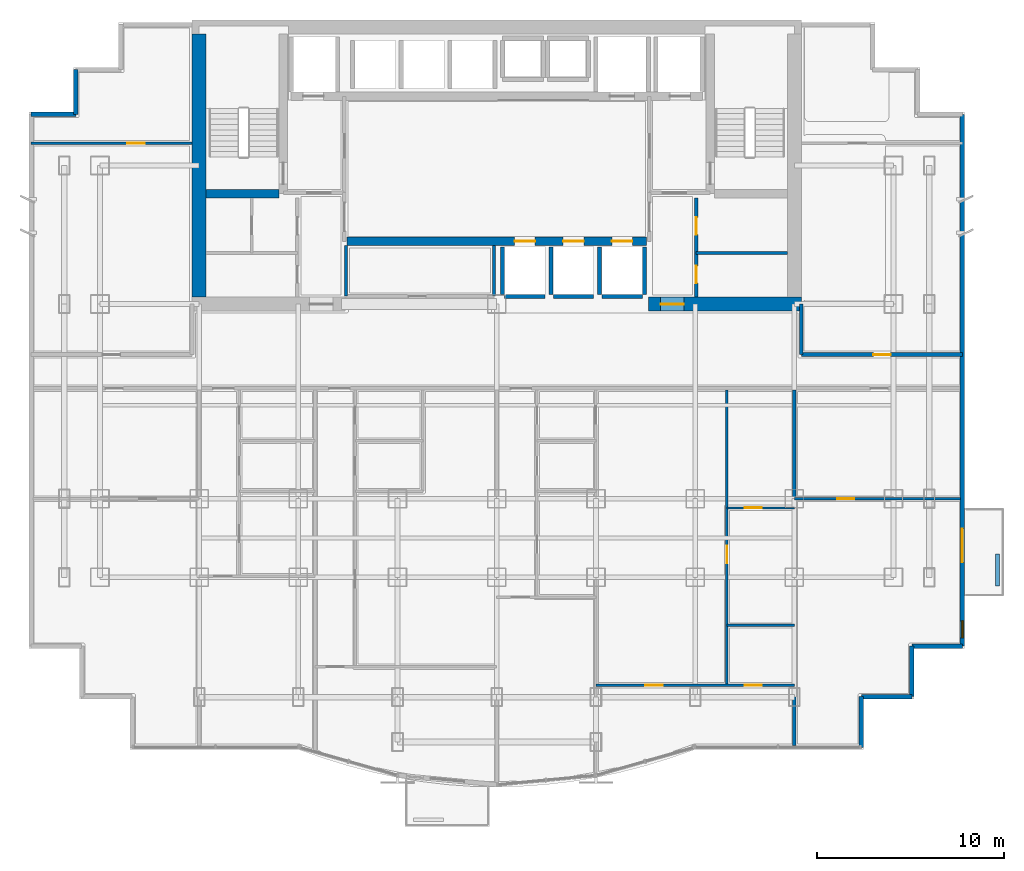
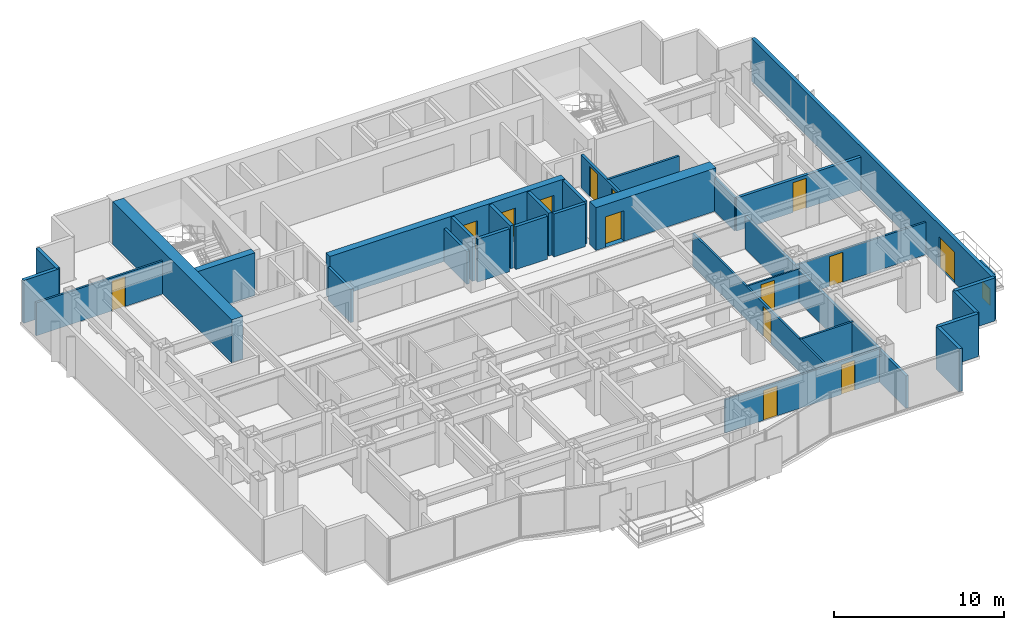
# One storey, part 6 of 10: 32 walls, 14 doors, 1 window, 15 openings.
"""IFC4 building model written with IfcOpenShell, lengths in metres."""

from ifc_helpers import new_model, si_unit, direction, frame, frame_2d, origin, place, context, subcontext, project, spatial, rectangle, extrude, material, layer, layer_set, type_object, element, fill, save


model = new_model("IFC4")

# Units and contexts
model_context = context("Model", 3, precision=1e-05, world=origin(), true_north=direction((0.0, 1.0)))
body_context = subcontext(model_context, "Body", "Model", "MODEL_VIEW")
ifc_project = project(units=[si_unit("LENGTHUNIT", "METRE"), si_unit("AREAUNIT", "SQUARE_METRE"), si_unit("VOLUMEUNIT", "CUBIC_METRE"), si_unit("PLANEANGLEUNIT", "RADIAN"), si_unit("MASSUNIT", "GRAM", prefix="KILO")], contexts=[model_context])

# Site, building, storey
site_placement = place(None, origin())
site = spatial("IfcSite", under=ifc_project, at=site_placement, CompositionType="ELEMENT")
building_placement = place(site_placement, origin())
building = spatial("IfcBuilding", under=site, at=building_placement, Name="Qianlan Lanfeng Residences", CompositionType="ELEMENT")
storey_placement = place(building_placement, frame((0.0, 0.0, 88.300048828125)))
storey = spatial("IfcBuildingStorey", under=building, at=storey_placement, Name="L23", CompositionType="ELEMENT", Elevation=88.300048828125)

# Wall
ifc_material_1 = material(Name="Concrete C60", Category="concrete")
ifc_layer_1 = layer(ifc_material_1, 0.449951171875)
ifc_layer_set_1 = layer_set([ifc_layer_1], Name="Concrete C60")
wall_type_1 = type_object("IfcWallType", Name="CW-RC-450", PredefinedType="SHEAR", material=ifc_layer_set_1)
wall_1_placement = place(storey_placement, frame((10.97509765625, 31.10009765625, 0.0), z_axis=(0.0, 0.0, 1.0), x_axis=(1.0, 0.0, 0.0)))
element("IfcWall", 1, at=wall_1_placement, inside=storey, type_object=wall_type_1, Name="L23 Core Shear Wall ST1S", PredefinedType="SHEAR", context=body_context, shape_type="SweptSolid", body=[
    extrude(rectangle(XDim=3.89990234375, YDim=0.449951171875, at=frame_2d((1.949951171875, 0.0))), origin(), (0.0, 0.0, 1.0), 3.08984375),
])

# Wall, openings, doors
wall_2_placement = place(storey_placement, frame((18.5, 28.550048828125, 0.0), z_axis=(0.0, 0.0, 1.0), x_axis=(1.0, 0.0, 0.0)))
wall_2 = element("IfcWall", 2, at=wall_2_placement, inside=storey, type_object=wall_type_1, Name="L23 Core Shear Wall LBS", PredefinedType="SHEAR", context=body_context, shape_type="SweptSolid", body=[
    extrude(rectangle(XDim=16.0, YDim=0.449951171875, at=frame_2d((8.0, 0.0))), origin(), (0.0, 0.0, 1.0), 3.08984375),
])
opening_1_placement = place(wall_2_placement, frame((8.949951171875, 0.0, 0.0)))
opening_1 = element("IfcOpeningElement", 3, at=opening_1_placement, cuts=wall_2, Name="Opening L23-LD-PL-M1", PredefinedType="OPENING", context=body_context, shape_type="SweptSolid", body=[
    extrude(rectangle(XDim=1.10009765625, YDim=2.14990234375, at=frame_2d((0.550048828125, 1.074951171875))), frame((0.0, 0.23486328125, 0.0), z_axis=(0.0, -1.0, 0.0), x_axis=(1.0, 0.0, 0.0)), (0.0, 0.0, 1.0), 0.469970703125),
])
opening_2_placement = place(wall_2_placement, frame((11.550048828125, 0.0, 0.0)))
opening_2 = element("IfcOpeningElement", 4, at=opening_2_placement, cuts=wall_2, Name="Opening L23-LD-PL-M2", PredefinedType="OPENING", context=body_context, shape_type="SweptSolid", body=[
    extrude(rectangle(XDim=1.10009765625, YDim=2.14990234375, at=frame_2d((0.550048828125, 1.074951171875))), frame((0.0, 0.23486328125, 0.0), z_axis=(0.0, -1.0, 0.0), x_axis=(1.0, 0.0, 0.0)), (0.0, 0.0, 1.0), 0.469970703125),
])
opening_3_placement = place(wall_2_placement, frame((14.14990234375, 0.0, 0.0)))
opening_3 = element("IfcOpeningElement", 5, at=opening_3_placement, cuts=wall_2, Name="Opening L23-LD-PL-M3", PredefinedType="OPENING", context=body_context, shape_type="SweptSolid", body=[
    extrude(rectangle(XDim=1.10009765625, YDim=2.14990234375, at=frame_2d((0.550048828125, 1.074951171875))), frame((0.0, 0.23486328125, 0.0), z_axis=(0.0, -1.0, 0.0), x_axis=(1.0, 0.0, 0.0)), (0.0, 0.0, 1.0), 0.469970703125),
])
ifc_material_2 = material(Name="Brushed Stainless Steel Sliding Lift Door", Category="steel")
door_type_1 = type_object("IfcDoorType", Name="LD-01", OperationType="NOTDEFINED", PredefinedType="DOOR", material=ifc_material_2)
door_1_placement = place(opening_1_placement, origin())
door_1 = element("IfcDoor", 6, at=door_1_placement, inside=storey, type_object=door_type_1, Name="L23 Elevator PL-M1 Sliding Landing Door", OperationType="DOUBLE_DOOR_SLIDING", OverallHeight=2.14990234375, OverallWidth=1.10009765625, PredefinedType="DOOR", context=body_context, shape_type="SweptSolid", body=[
    extrude(rectangle(XDim=1.10009765625, YDim=2.14990234375, at=frame_2d((0.550048828125, 1.074951171875))), frame((0.0, 0.02490234375, 0.0), z_axis=(0.0, -1.0, 0.0), x_axis=(1.0, 0.0, 0.0)), (0.0, 0.0, 1.0), 0.050048828125),
])
fill(opening_1, door_1)
door_2_placement = place(opening_2_placement, origin())
door_2 = element("IfcDoor", 7, at=door_2_placement, inside=storey, type_object=door_type_1, Name="L23 Elevator PL-M2 Sliding Landing Door", OperationType="DOUBLE_DOOR_SLIDING", OverallHeight=2.14990234375, OverallWidth=1.10009765625, PredefinedType="DOOR", context=body_context, shape_type="SweptSolid", body=[
    extrude(rectangle(XDim=1.10009765625, YDim=2.14990234375, at=frame_2d((0.550048828125, 1.074951171875))), frame((0.0, 0.02490234375, 0.0), z_axis=(0.0, -1.0, 0.0), x_axis=(1.0, 0.0, 0.0)), (0.0, 0.0, 1.0), 0.050048828125),
])
fill(opening_2, door_2)
door_3_placement = place(opening_3_placement, origin())
door_3 = element("IfcDoor", 8, at=door_3_placement, inside=storey, type_object=door_type_1, Name="L23 Elevator PL-M3 Sliding Landing Door", OperationType="DOUBLE_DOOR_SLIDING", OverallHeight=2.14990234375, OverallWidth=1.10009765625, PredefinedType="DOOR", context=body_context, shape_type="SweptSolid", body=[
    extrude(rectangle(XDim=1.10009765625, YDim=2.14990234375, at=frame_2d((0.550048828125, 1.074951171875))), frame((0.0, 0.02490234375, 0.0), z_axis=(0.0, -1.0, 0.0), x_axis=(1.0, 0.0, 0.0)), (0.0, 0.0, 1.0), 0.050048828125),
])
fill(opening_3, door_3)

# Wall
ifc_layer_2 = layer(ifc_material_1, 0.75)
ifc_layer_set_2 = layer_set([ifc_layer_2], Name="Concrete C60")
wall_type_2 = type_object("IfcWallType", Name="CW-RC-750", PredefinedType="SHEAR", material=ifc_layer_set_2)
wall_3_placement = place(storey_placement, frame((10.60009765625, 25.574951171875, 0.0), z_axis=(0.0, 0.0, 1.0), x_axis=(0.0, 1.0, 0.0)))
element("IfcWall", 9, at=wall_3_placement, inside=storey, type_object=wall_type_2, Name="L23 Core Shear Wall W", PredefinedType="SHEAR", context=body_context, shape_type="SweptSolid", body=[
    extrude(rectangle(XDim=14.050048828125, YDim=0.75, at=frame_2d((7.02490234375, 0.0))), origin(), (0.0, 0.0, 1.0), 3.08984375),
])

# Wall, opening, door
wall_4_placement = place(storey_placement, frame((34.60009765625, 25.199951171875, 0.0), z_axis=(0.0, 0.0, 1.0), x_axis=(1.0, 0.0, 0.0)))
wall_4 = element("IfcWall", 10, at=wall_4_placement, inside=storey, type_object=wall_type_2, Name="L23 Core Shear Wall SE", PredefinedType="SHEAR", context=body_context, shape_type="SweptSolid", body=[
    extrude(rectangle(XDim=8.1748046875, YDim=0.75, at=frame_2d((4.08740234375, 0.0))), origin(), (0.0, 0.0, 1.0), 3.08984375),
])
opening_4_placement = place(wall_4_placement, frame((0.64990234375, 0.0, 0.0)))
opening_4 = element("IfcOpeningElement", 11, at=opening_4_placement, cuts=wall_4, Name="Opening L23-D02", PredefinedType="OPENING", context=body_context, shape_type="SweptSolid", body=[
    extrude(rectangle(XDim=1.25, YDim=2.199951171875, at=frame_2d((0.625, 1.10009765625))), frame((0.0, 0.385009765625, 0.0), z_axis=(0.0, -1.0, 0.0), x_axis=(1.0, 0.0, 0.0)), (0.0, 0.0, 1.0), 0.77001953125),
])
ifc_material_3 = material(Name="Painted Galvanised Steel Fire Door", Category="steel")
door_type_2 = type_object("IfcDoorType", Name="DT-FFL", OperationType="NOTDEFINED", PredefinedType="DOOR", material=ifc_material_3)
door_4_placement = place(opening_4_placement, frame((1.25, 0.0, 0.0), z_axis=(0.0, 0.0, 1.0), x_axis=(-1.0, 0.0, 0.0)))
door_4 = element("IfcDoor", 12, at=door_4_placement, inside=storey, type_object=door_type_2, Name="L23 East Core Lobby Smoke Door L23-D02 (DT-FFL)", OperationType="SINGLE_SWING_LEFT", OverallHeight=2.199951171875, OverallWidth=1.25, PredefinedType="DOOR", context=body_context, shape_type="SweptSolid", body=[
    extrude(rectangle(XDim=1.25, YDim=2.199951171875, at=frame_2d((0.625, 1.10009765625))), frame((0.0, 0.02490234375, 0.0), z_axis=(0.0, -1.0, 0.0), x_axis=(1.0, 0.0, 0.0)), (0.0, 0.0, 1.0), 0.050048828125),
])
fill(opening_4, door_4)

# Walls
ifc_material_4 = material(Name="Concrete C42", Category="concrete")
ifc_layer_3 = layer(ifc_material_4, 0.239990234375)
ifc_layer_set_3 = layer_set([ifc_layer_3], Name="Concrete C42")
wall_type_3 = type_object("IfcWallType", Name="EW-240", PredefinedType="SOLIDWALL", material=ifc_layer_set_3)
for number, where, z_axis, x_axis, name in (
    (13, (45.97998046875, 1.52001953125, 0.0), (0.0, 0.0, 1.0), (0.0, 1.0, 0.0), "L23 Exterior Facade Spandrel Wall 6"),
    (14, (45.97998046875, 4.219970703125, 0.0), (0.0, 0.0, 1.0), (1.0, 0.0, 0.0), "L23 Exterior Facade Spandrel Wall 7"),
    (15, (48.679931640625, 4.219970703125, 0.0), (0.0, 0.0, 1.0), (0.0, 1.0, 0.0), "L23 Exterior Facade Spandrel Wall 8"),
    (16, (48.679931640625, 6.919921875, 0.0), (0.0, 0.0, 1.0), (1.0, 0.0, 0.0), "L23 Exterior Facade Spandrel Wall 9"),
):
    element("IfcWall", number, at=place(storey_placement, frame(where, z_axis=z_axis, x_axis=x_axis)), inside=storey, type_object=wall_type_3, Name=name, PredefinedType="SOLIDWALL", context=body_context, shape_type="SweptSolid", body=[
        extrude(rectangle(XDim=2.699951171875, YDim=0.239990234375, at=frame_2d((1.35009765625, 0.0))), origin(), (0.0, 0.0, 1.0), 3.08984375),
    ])

# Wall, openings, door, window
wall_5_placement = place(storey_placement, frame((51.3798828125, 6.919921875, 0.0), z_axis=(0.0, 0.0, 1.0), x_axis=(0.0, 1.0, 0.0)))
wall_5 = element("IfcWall", 17, at=wall_5_placement, inside=storey, type_object=wall_type_3, Name="L23 Terrace/Balcony Access Exterior Wall 10", PredefinedType="SOLIDWALL", context=body_context, shape_type="SweptSolid", body=[
    extrude(rectangle(XDim=28.41015625, YDim=0.239990234375, at=frame_2d((14.205078125, 0.0))), origin(), (0.0, 0.0, 1.0), 3.08984375),
])
opening_5_placement = place(wall_5_placement, frame((4.47998046875, 0.0, 0.0)))
opening_5 = element("IfcOpeningElement", 18, at=opening_5_placement, cuts=wall_5, Name="Opening L23-D-EB-S", PredefinedType="OPENING", context=body_context, shape_type="SweptSolid", body=[
    extrude(rectangle(XDim=1.800048828125, YDim=2.199951171875, at=frame_2d((0.89990234375, 1.10009765625))), frame((0.0, 0.1298828125, 0.0), z_axis=(0.0, -1.0, 0.0), x_axis=(1.0, 0.0, 0.0)), (0.0, 0.0, 1.0), 0.260009765625),
])
opening_6_placement = place(wall_5_placement, frame((0.449951171875, 0.0, 0.75)))
opening_6 = element("IfcOpeningElement", 19, at=opening_6_placement, cuts=wall_5, Name="Opening W-04", PredefinedType="OPENING", context=body_context, shape_type="SweptSolid", body=[
    extrude(rectangle(XDim=0.89990234375, YDim=1.199951171875, at=frame_2d((0.449951171875, 0.60009765625))), frame((0.0, 0.1298828125, 0.0), z_axis=(0.0, -1.0, 0.0), x_axis=(1.0, 0.0, 0.0)), (0.0, 0.0, 1.0), 0.260009765625),
])
ifc_material_5 = material(Name="Anodised Bronze Aluminium Framed Glass", Category="aluminium")
door_type_3 = type_object("IfcDoorType", Name="DT-BAL1", OperationType="NOTDEFINED", PredefinedType="DOOR", material=ifc_material_5)
door_5_placement = place(opening_5_placement, frame((1.800048828125, 0.0, 0.0), z_axis=(0.0, 0.0, 1.0), x_axis=(-1.0, 0.0, 0.0)))
door_5 = element("IfcDoor", 20, at=door_5_placement, inside=storey, type_object=door_type_3, Name="L23 Exterior Access Door EB-S", OperationType="DOUBLE_DOOR_SLIDING", OverallHeight=2.199951171875, OverallWidth=1.800048828125, PredefinedType="DOOR", context=body_context, shape_type="SweptSolid", body=[
    extrude(rectangle(XDim=1.800048828125, YDim=2.199951171875, at=frame_2d((0.89990234375, 1.10009765625))), frame((0.0, 0.02490234375, 0.0), z_axis=(0.0, -1.0, 0.0), x_axis=(1.0, 0.0, 0.0)), (0.0, 0.0, 1.0), 0.050048828125),
])
fill(opening_5, door_5)
ifc_material_6 = material(Name="Anodised Bronze Aluminium Framed Double Glazing", Category="aluminium")
window_type = type_object("IfcWindowType", Name="W-04", PartitioningType="SINGLE_PANEL", PredefinedType="WINDOW", material=ifc_material_6)
window_placement = place(opening_6_placement, origin())
window = element("IfcWindow", 21, at=window_placement, inside=storey, type_object=window_type, Name="L23 Exterior Window W-04", OverallHeight=1.199951171875, OverallWidth=0.89990234375, PartitioningType="SINGLE_PANEL", PredefinedType="WINDOW", context=body_context, shape_type="SweptSolid", body=[
    extrude(rectangle(XDim=0.89990234375, YDim=1.199951171875, at=frame_2d((0.449951171875, 0.60009765625))), frame((0.0, 0.030029296875, 0.0), z_axis=(0.0, -1.0, 0.0), x_axis=(1.0, 0.0, 0.0)), (0.0, 0.0, 1.0), 0.06005859375),
])
fill(opening_6, window)

# Walls
for number, where, z_axis, x_axis, name in (
    (22, (4.02001953125, 37.72998046875, 0.0), (0.0, 0.0, 1.0), (0.0, -1.0, 0.0), "L23 Exterior Facade Spandrel Wall 19"),
    (23, (4.02001953125, 35.330078125, 0.0), (0.0, 0.0, 1.0), (-1.0, 0.0, 0.0), "L23 Exterior Facade Spandrel Wall 20"),
):
    element("IfcWall", number, at=place(storey_placement, frame(where, z_axis=z_axis, x_axis=x_axis)), inside=storey, type_object=wall_type_3, Name=name, PredefinedType="SOLIDWALL", context=body_context, shape_type="SweptSolid", body=[
        extrude(rectangle(XDim=2.39990234375, YDim=0.239990234375, at=frame_2d((1.199951171875, 0.0))), origin(), (0.0, 0.0, 1.0), 3.08984375),
    ])
ifc_layer_4 = layer(ifc_material_4, 0.199951171875)
ifc_layer_set_4 = layer_set([ifc_layer_4], Name="Concrete C42")
wall_type_4 = type_object("IfcWallType", Name="PL-TREE-200", PredefinedType="PARAPET", material=ifc_layer_set_4)
wall_6_placement = place(storey_placement, frame((53.25, 10.14990234375, 0.0), z_axis=(0.0, 0.0, 1.0), x_axis=(0.0, 1.0, 0.0)))
element("IfcWall", 24, at=wall_6_placement, inside=storey, type_object=wall_type_4, Name="L23 East Tree Planter Curb EB-S", PredefinedType="PARAPET", context=body_context, shape_type="SweptSolid", body=[
    extrude(rectangle(XDim=1.7001953125, YDim=0.199951171875, at=frame_2d((0.85009765625, 0.0))), origin(), (0.0, 0.0, 1.0), 0.64990234375),
])

# Wall, opening, door
ifc_material_7 = material(Name="Demountable Acoustic Framing Partition 110 mm")
ifc_layer_5 = layer(ifc_material_7, 0.110107421875)
ifc_layer_set_5 = layer_set([ifc_layer_5], Name="Demountable Acoustic Framing Partition 110 mm")
wall_type_5 = type_object("IfcWallType", Name="PW-110", PredefinedType="MOVABLE", material=ifc_layer_set_5)
wall_7_placement = place(storey_placement, frame((38.800048828125, 14.31396484375, 0.0), z_axis=(0.0, 0.0, 1.0), x_axis=(1.0, 0.0, 0.0)))
wall_7 = element("IfcWall", 25, at=wall_7_placement, inside=storey, type_object=wall_type_5, Name="L23 U03 Wardrobe Split", PredefinedType="MOVABLE", context=body_context, shape_type="SweptSolid", body=[
    extrude(rectangle(XDim=3.599853515625, YDim=0.110107421875, at=frame_2d((1.7998046875, 0.0))), origin(), (0.0, 0.0, 1.0), 2.3798828125),
])
opening_7_placement = place(wall_7_placement, frame((0.93994140625, 0.0, 0.0)))
opening_7 = element("IfcOpeningElement", 26, at=opening_7_placement, cuts=wall_7, Name="Opening L23-D36", PredefinedType="OPENING", context=body_context, shape_type="SweptSolid", body=[
    extrude(rectangle(XDim=0.919921875, YDim=2.14990234375, at=frame_2d((0.4599609375, 1.074951171875))), frame((0.0, 0.06494140625, 0.0), z_axis=(0.0, -1.0, 0.0), x_axis=(1.0, 0.0, 0.0)), (0.0, 0.0, 1.0), 0.130126953125),
])
ifc_material_8 = material(Name="Glazed Timber Kitchen/Study Door", Category="wood")
door_type_4 = type_object("IfcDoorType", Name="DT-INT", OperationType="NOTDEFINED", PredefinedType="DOOR", material=ifc_material_8)
door_6_placement = place(opening_7_placement, origin())
door_6 = element("IfcDoor", 27, at=door_6_placement, inside=storey, type_object=door_type_4, Name="L23 U03 Dressing Inner Door L23-D36 (DT-INT)", OperationType="SINGLE_SWING_LEFT", OverallHeight=2.14990234375, OverallWidth=0.919921875, PredefinedType="DOOR", context=body_context, shape_type="SweptSolid", body=[
    extrude(rectangle(XDim=0.919921875, YDim=2.14990234375, at=frame_2d((0.4599609375, 1.074951171875))), frame((0.0, 0.02490234375, 0.0), z_axis=(0.0, -1.0, 0.0), x_axis=(1.0, 0.0, 0.0)), (0.0, 0.0, 1.0), 0.050048828125),
])
fill(opening_7, door_6)

# Wall, openings, doors
ifc_material_9 = material(Name="Moisture-Resistant Gypsum Partition 135 mm")
ifc_layer_6 = layer(ifc_material_9, 0.135009765625)
ifc_layer_set_6 = layer_set([ifc_layer_6], Name="Moisture-Resistant Gypsum Partition 135 mm")
wall_type_6 = type_object("IfcWallType", Name="PW-135", PredefinedType="PARTITIONING", material=ifc_layer_set_6)
wall_8_placement = place(storey_placement, frame((31.800048828125, 4.827880859375, 0.0), z_axis=(0.0, 0.0, 1.0), x_axis=(1.0, 0.0, 0.0)))
wall_8 = element("IfcWall", 28, at=wall_8_placement, inside=storey, type_object=wall_type_6, Name="L23 U03 Master Bedroom North Wall", PredefinedType="PARTITIONING", context=body_context, shape_type="SweptSolid", body=[
    extrude(rectangle(XDim=10.599853515625, YDim=0.135009765625, at=frame_2d((5.2998046875, 0.0))), origin(), (0.0, 0.0, 1.0), 2.3798828125),
])
opening_8_placement = place(wall_8_placement, frame((2.625, 0.0, 0.0)))
opening_8 = element("IfcOpeningElement", 29, at=opening_8_placement, cuts=wall_8, Name="Opening L23-D33", PredefinedType="OPENING", context=body_context, shape_type="SweptSolid", body=[
    extrude(rectangle(XDim=0.949951171875, YDim=2.14990234375, at=frame_2d((0.47509765625, 1.074951171875))), frame((0.0, 0.07763671875, 0.0), z_axis=(0.0, -1.0, 0.0), x_axis=(1.0, 0.0, 0.0)), (0.0, 0.0, 1.0), 0.155029296875),
])
opening_9_placement = place(wall_8_placement, frame((7.949951171875, 0.0, 0.0)))
opening_9 = element("IfcOpeningElement", 30, at=opening_9_placement, cuts=wall_8, Name="Opening L23-D34", PredefinedType="OPENING", context=body_context, shape_type="SweptSolid", body=[
    extrude(rectangle(XDim=0.89990234375, YDim=2.14990234375, at=frame_2d((0.449951171875, 1.074951171875))), frame((0.0, 0.07763671875, 0.0), z_axis=(0.0, -1.0, 0.0), x_axis=(1.0, 0.0, 0.0)), (0.0, 0.0, 1.0), 0.155029296875),
])
ifc_material_10 = material(Name="Painted Solid-Core Timber Leaf", Category="wood")
door_type_5 = type_object("IfcDoorType", Name="DT-BED", OperationType="NOTDEFINED", PredefinedType="DOOR", material=ifc_material_10)
door_7_placement = place(opening_8_placement, origin())
door_7 = element("IfcDoor", 31, at=door_7_placement, inside=storey, type_object=door_type_5, Name="L23 U03 Master Bedroom Door L23-D33 (DT-BED)", OperationType="SINGLE_SWING_RIGHT", OverallHeight=2.14990234375, OverallWidth=0.949951171875, PredefinedType="DOOR", context=body_context, shape_type="SweptSolid", body=[
    extrude(rectangle(XDim=0.949951171875, YDim=2.14990234375, at=frame_2d((0.47509765625, 1.074951171875))), frame((0.0, 0.02490234375, 0.0), z_axis=(0.0, -1.0, 0.0), x_axis=(1.0, 0.0, 0.0)), (0.0, 0.0, 1.0), 0.050048828125),
])
fill(opening_8, door_7)
ifc_material_11 = material(Name="Moisture-Resistant Timber Leaf", Category="wood")
door_type_6 = type_object("IfcDoorType", Name="DT-WC", OperationType="NOTDEFINED", PredefinedType="DOOR", material=ifc_material_11)
door_8_placement = place(opening_9_placement, origin())
door_8 = element("IfcDoor", 32, at=door_8_placement, inside=storey, type_object=door_type_6, Name="L23 U03 En-Suite Bathroom Door L23-D34 (DT-WC)", OperationType="SINGLE_SWING_LEFT", OverallHeight=2.14990234375, OverallWidth=0.89990234375, PredefinedType="DOOR", context=body_context, shape_type="SweptSolid", body=[
    extrude(rectangle(XDim=0.89990234375, YDim=2.14990234375, at=frame_2d((0.449951171875, 1.074951171875))), frame((0.0, 0.02490234375, 0.0), z_axis=(0.0, -1.0, 0.0), x_axis=(1.0, 0.0, 0.0)), (0.0, 0.0, 1.0), 0.050048828125),
])
fill(opening_9, door_8)

# Wall, opening, door
wall_9_placement = place(storey_placement, frame((38.800048828125, 4.827880859375, 0.0), z_axis=(0.0, 0.0, 1.0), x_axis=(0.0, 1.0, 0.0)))
wall_9 = element("IfcWall", 33, at=wall_9_placement, inside=storey, type_object=wall_type_6, Name="L23 U03 Master Passage Wall", PredefinedType="PARTITIONING", context=body_context, shape_type="SweptSolid", body=[
    extrude(rectangle(XDim=15.772216796875, YDim=0.135009765625, at=frame_2d((7.88623046875, 0.0))), origin(), (0.0, 0.0, 1.0), 2.3798828125),
])
opening_10_placement = place(wall_9_placement, frame((6.532958984375, 0.0, 0.0)))
opening_10 = element("IfcOpeningElement", 34, at=opening_10_placement, cuts=wall_9, Name="Opening L23-D35", PredefinedType="OPENING", context=body_context, shape_type="SweptSolid", body=[
    extrude(rectangle(XDim=0.919921875, YDim=2.14990234375, at=frame_2d((0.4599609375, 1.074951171875))), frame((0.0, 0.07763671875, 0.0), z_axis=(0.0, -1.0, 0.0), x_axis=(1.0, 0.0, 0.0)), (0.0, 0.0, 1.0), 0.155029296875),
])
door_9_placement = place(opening_10_placement, origin())
door_9 = element("IfcDoor", 35, at=door_9_placement, inside=storey, type_object=door_type_4, Name="L23 U03 Wardrobe Door L23-D35 (DT-INT)", OperationType="SINGLE_SWING_RIGHT", OverallHeight=2.14990234375, OverallWidth=0.919921875, PredefinedType="DOOR", context=body_context, shape_type="SweptSolid", body=[
    extrude(rectangle(XDim=0.919921875, YDim=2.14990234375, at=frame_2d((0.4599609375, 1.074951171875))), frame((0.0, 0.02490234375, 0.0), z_axis=(0.0, -1.0, 0.0), x_axis=(1.0, 0.0, 0.0)), (0.0, 0.0, 1.0), 0.050048828125),
])
fill(opening_10, door_9)

# Wall
wall_10_placement = place(storey_placement, frame((38.800048828125, 8.028076171875, 0.0), z_axis=(0.0, 0.0, 1.0), x_axis=(1.0, 0.0, 0.0)))
element("IfcWall", 36, at=wall_10_placement, inside=storey, type_object=wall_type_6, Name="L23 U03 En-Suite North Wall", PredefinedType="PARTITIONING", context=body_context, shape_type="SweptSolid", body=[
    extrude(rectangle(XDim=3.599853515625, YDim=0.135009765625, at=frame_2d((1.7998046875, 0.0))), origin(), (0.0, 0.0, 1.0), 2.3798828125),
])

# Wall, opening, door
wall_11_placement = place(storey_placement, frame((42.39990234375, 14.800048828125, 0.0), z_axis=(0.0, 0.0, 1.0), x_axis=(1.0, 0.0, 0.0)))
wall_11 = element("IfcWall", 37, at=wall_11_placement, inside=storey, type_object=wall_type_6, Name="L23 SEP Mid Partition", PredefinedType="PARTITIONING", context=body_context, shape_type="SweptSolid", body=[
    extrude(rectangle(XDim=8.880126953125, YDim=0.135009765625, at=frame_2d((4.43994140625, 0.0))), origin(), (0.0, 0.0, 1.0), 2.3349609375),
])
opening_11_placement = place(wall_11_placement, frame((2.280029296875, 0.0, 0.0)))
opening_11 = element("IfcOpeningElement", 38, at=opening_11_placement, cuts=wall_11, Name="Opening L23-D39", PredefinedType="OPENING", context=body_context, shape_type="SweptSolid", body=[
    extrude(rectangle(XDim=0.919921875, YDim=2.14990234375, at=frame_2d((0.4599609375, 1.074951171875))), frame((0.0, 0.07763671875, 0.0), z_axis=(0.0, -1.0, 0.0), x_axis=(1.0, 0.0, 0.0)), (0.0, 0.0, 1.0), 0.155029296875),
])
door_10_placement = place(opening_11_placement, origin())
door_10 = element("IfcDoor", 39, at=door_10_placement, inside=storey, type_object=door_type_4, Name="L23 SEP Inner Door L23-D39 (DT-INT)", OperationType="SINGLE_SWING_RIGHT", OverallHeight=2.14990234375, OverallWidth=0.919921875, PredefinedType="DOOR", context=body_context, shape_type="SweptSolid", body=[
    extrude(rectangle(XDim=0.919921875, YDim=2.14990234375, at=frame_2d((0.4599609375, 1.074951171875))), frame((0.0, 0.02490234375, 0.0), z_axis=(0.0, -1.0, 0.0), x_axis=(1.0, 0.0, 0.0)), (0.0, 0.0, 1.0), 0.050048828125),
])
fill(opening_11, door_10)

wall_12_placement = place(storey_placement, frame((1.6201171875, 33.800048828125, 0.0), z_axis=(0.0, 0.0, 1.0), x_axis=(1.0, 0.0, 0.0)))
wall_12 = element("IfcWall", 40, at=wall_12_placement, inside=storey, type_object=wall_type_6, Name="L23 WW North Wing Wall", PredefinedType="PARTITIONING", context=body_context, shape_type="SweptSolid", body=[
    extrude(rectangle(XDim=8.60498046875, YDim=0.135009765625, at=frame_2d((4.302490234375, 0.0))), origin(), (0.0, 0.0, 1.0), 2.3798828125),
])
opening_12_placement = place(wall_12_placement, frame((5.14306640625, 0.0, 0.0)))
opening_12 = element("IfcOpeningElement", 41, at=opening_12_placement, cuts=wall_12, Name="Opening L23-D41", PredefinedType="OPENING", context=body_context, shape_type="SweptSolid", body=[
    extrude(rectangle(XDim=0.919921875, YDim=2.14990234375, at=frame_2d((0.4599609375, 1.074951171875))), frame((0.0, 0.07763671875, 0.0), z_axis=(0.0, -1.0, 0.0), x_axis=(1.0, 0.0, 0.0)), (0.0, 0.0, 1.0), 0.155029296875),
])
door_11_placement = place(opening_12_placement, origin())
door_11 = element("IfcDoor", 42, at=door_11_placement, inside=storey, type_object=door_type_4, Name="L23 WW Inner Salon Door L23-D41 (DT-INT)", OperationType="SINGLE_SWING_RIGHT", OverallHeight=2.14990234375, OverallWidth=0.919921875, PredefinedType="DOOR", context=body_context, shape_type="SweptSolid", body=[
    extrude(rectangle(XDim=0.919921875, YDim=2.14990234375, at=frame_2d((0.4599609375, 1.074951171875))), frame((0.0, 0.02490234375, 0.0), z_axis=(0.0, -1.0, 0.0), x_axis=(1.0, 0.0, 0.0)), (0.0, 0.0, 1.0), 0.050048828125),
])
fill(opening_12, door_11)

# Wall
ifc_material_12 = material(Name="Acoustic Drywall Partition 150 mm")
ifc_layer_7 = layer(ifc_material_12, 0.14990234375)
ifc_layer_set_7 = layer_set([ifc_layer_7], Name="Acoustic Drywall Partition 150 mm")
wall_type_7 = type_object("IfcWallType", Name="PW-150", PredefinedType="PARTITIONING", material=ifc_layer_set_7)
wall_13_placement = place(storey_placement, frame((37.14990234375, 27.925048828125, 0.0), z_axis=(0.0, 0.0, 1.0), x_axis=(1.0, 0.0, 0.0)))
element("IfcWall", 43, at=wall_13_placement, inside=storey, type_object=wall_type_7, Name="L23 Core East H4", PredefinedType="PARTITIONING", context=body_context, shape_type="SweptSolid", body=[
    extrude(rectangle(XDim=4.875, YDim=0.14990234375, at=frame_2d((2.4375, 0.0))), origin(), (0.0, 0.0, 1.0), 2.3798828125),
])

# Wall, openings, doors
ifc_material_13 = material(Name="Double-Layer Acoustic Gypsum Stud Wall 180 mm")
ifc_layer_8 = layer(ifc_material_13, 0.179931640625)
ifc_layer_set_8 = layer_set([ifc_layer_8], Name="Double-Layer Acoustic Gypsum Stud Wall 180 mm")
wall_type_8 = type_object("IfcWallType", Name="PW-180", PredefinedType="PARTITIONING", material=ifc_layer_set_8)
wall_14_placement = place(storey_placement, frame((37.14990234375, 25.574951171875, 0.0), z_axis=(0.0, 0.0, 1.0), x_axis=(0.0, 1.0, 0.0)))
wall_14 = element("IfcWall", 44, at=wall_14_placement, inside=storey, type_object=wall_type_8, Name="L23 Core East Service Room Wall", PredefinedType="PARTITIONING", context=body_context, shape_type="SweptSolid", body=[
    extrude(rectangle(XDim=5.300048828125, YDim=0.179931640625, at=frame_2d((2.64990234375, 0.0))), origin(), (0.0, 0.0, 1.0), 2.3798828125),
])
opening_13_placement = place(wall_14_placement, frame((0.739990234375, 0.0, 0.0)))
opening_13 = element("IfcOpeningElement", 45, at=opening_13_placement, cuts=wall_14, Name="Opening L23-D12", PredefinedType="OPENING", context=body_context, shape_type="SweptSolid", body=[
    extrude(rectangle(XDim=0.919921875, YDim=2.14990234375, at=frame_2d((0.4599609375, 1.074951171875))), frame((0.0, 0.10009765625, 0.0), z_axis=(0.0, -1.0, 0.0), x_axis=(1.0, 0.0, 0.0)), (0.0, 0.0, 1.0), 0.199951171875),
])
opening_14_placement = place(wall_14_placement, frame((3.340087890625, 0.0, 0.0)))
opening_14 = element("IfcOpeningElement", 46, at=opening_14_placement, cuts=wall_14, Name="Opening L23-D13", PredefinedType="OPENING", context=body_context, shape_type="SweptSolid", body=[
    extrude(rectangle(XDim=0.919921875, YDim=2.14990234375, at=frame_2d((0.4599609375, 1.074951171875))), frame((0.0, 0.10009765625, 0.0), z_axis=(0.0, -1.0, 0.0), x_axis=(1.0, 0.0, 0.0)), (0.0, 0.0, 1.0), 0.199951171875),
])
door_12_placement = place(opening_13_placement, origin())
door_12 = element("IfcDoor", 47, at=door_12_placement, inside=storey, type_object=door_type_4, Name="L23 Mail Closet Door L23-D12 (DT-INT)", OperationType="SINGLE_SWING_LEFT", OverallHeight=2.14990234375, OverallWidth=0.919921875, PredefinedType="DOOR", context=body_context, shape_type="SweptSolid", body=[
    extrude(rectangle(XDim=0.919921875, YDim=2.14990234375, at=frame_2d((0.4599609375, 1.074951171875))), frame((0.0, 0.02490234375, 0.0), z_axis=(0.0, -1.0, 0.0), x_axis=(1.0, 0.0, 0.0)), (0.0, 0.0, 1.0), 0.050048828125),
])
fill(opening_13, door_12)
door_13_placement = place(opening_14_placement, origin())
door_13 = element("IfcDoor", 48, at=door_13_placement, inside=storey, type_object=door_type_4, Name="L23 Refuse Closet Door L23-D13 (DT-INT)", OperationType="SINGLE_SWING_RIGHT", OverallHeight=2.14990234375, OverallWidth=0.919921875, PredefinedType="DOOR", context=body_context, shape_type="SweptSolid", body=[
    extrude(rectangle(XDim=0.919921875, YDim=2.14990234375, at=frame_2d((0.4599609375, 1.074951171875))), frame((0.0, 0.02490234375, 0.0), z_axis=(0.0, -1.0, 0.0), x_axis=(1.0, 0.0, 0.0)), (0.0, 0.0, 1.0), 0.050048828125),
])
fill(opening_14, door_13)

# Walls
for number, where, z_axis, x_axis, name in (
    (49, (18.449951171875, 25.6201171875, 0.0), (0.0, 0.0, 1.0), (0.0, 1.0, 0.0), "L23 Reclaimed Low-Bank Room West Wall"),
    (50, (26.35009765625, 25.6201171875, 0.0), (0.0, 0.0, 1.0), (0.0, 1.0, 0.0), "L23 Reclaimed Low-Bank Room East Wall"),
):
    element("IfcWall", number, at=place(storey_placement, frame(where, z_axis=z_axis, x_axis=x_axis)), inside=storey, type_object=wall_type_8, Name=name, PredefinedType="PARTITIONING", context=body_context, shape_type="SweptSolid", body=[
        extrude(rectangle(XDim=2.704833984375, YDim=0.179931640625, at=frame_2d((1.3525390625, 0.0))), origin(), (0.0, 0.0, 1.0), 2.3798828125),
    ])
wall_15_placement = place(storey_placement, frame((42.39990234375, 1.6201171875, 0.0), z_axis=(0.0, 0.0, 1.0), x_axis=(0.0, 1.0, 0.0)))
element("IfcWall", 51, at=wall_15_placement, inside=storey, type_object=wall_type_8, Name="L23 Wing Boundary Party Wall E0", PredefinedType="PARTITIONING", context=body_context, shape_type="SweptSolid", body=[
    extrude(rectangle(XDim=18.97998046875, YDim=0.179931640625, at=frame_2d((9.489990234375, 0.0))), origin(), (0.0, 0.0, 1.0), 2.3349609375),
])

# Wall, opening, door
ifc_material_14 = material(Name="Autoclaved Aerated Concrete Blockwork 200 mm", Category="masonry")
ifc_layer_9 = layer(ifc_material_14, 0.199951171875)
ifc_layer_set_9 = layer_set([ifc_layer_9], Name="Autoclaved Aerated Concrete Blockwork 200 mm")
wall_type_9 = type_object("IfcWallType", Name="PW-200", PredefinedType="PARTITIONING", material=ifc_layer_set_9)
wall_16_placement = place(storey_placement, frame((42.77490234375, 22.5, 0.0), z_axis=(0.0, 0.0, 1.0), x_axis=(1.0, 0.0, 0.0)))
wall_16 = element("IfcWall", 52, at=wall_16_placement, inside=storey, type_object=wall_type_9, Name="L23 Corridor NE Wall", PredefinedType="PARTITIONING", context=body_context, shape_type="SweptSolid", body=[
    extrude(rectangle(XDim=8.60498046875, YDim=0.199951171875, at=frame_2d((4.302490234375, 0.0))), origin(), (0.0, 0.0, 1.0), 2.3798828125),
])
opening_15_placement = place(wall_16_placement, frame((3.842041015625, 0.0, 0.0)))
opening_15 = element("IfcOpeningElement", 53, at=opening_15_placement, cuts=wall_16, Name="Opening L23-D44", PredefinedType="OPENING", context=body_context, shape_type="SweptSolid", body=[
    extrude(rectangle(XDim=0.919921875, YDim=2.14990234375, at=frame_2d((0.4599609375, 1.074951171875))), frame((0.0, 0.10986328125, 0.0), z_axis=(0.0, -1.0, 0.0), x_axis=(1.0, 0.0, 0.0)), (0.0, 0.0, 1.0), 0.219970703125),
])
door_14_placement = place(opening_15_placement, origin())
door_14 = element("IfcDoor", 54, at=door_14_placement, inside=storey, type_object=door_type_4, Name="L23 EW Amenity Salon Door L23-D44 (DT-INT)", OperationType="SINGLE_SWING_LEFT", OverallHeight=2.14990234375, OverallWidth=0.919921875, PredefinedType="DOOR", context=body_context, shape_type="SweptSolid", body=[
    extrude(rectangle(XDim=0.919921875, YDim=2.14990234375, at=frame_2d((0.4599609375, 1.074951171875))), frame((0.0, 0.02490234375, 0.0), z_axis=(0.0, -1.0, 0.0), x_axis=(1.0, 0.0, 0.0)), (0.0, 0.0, 1.0), 0.050048828125),
])
fill(opening_15, door_14)

# Walls
wall_17_placement = place(storey_placement, frame((42.77490234375, 22.5, 0.0), z_axis=(0.0, 0.0, 1.0), x_axis=(0.0, 1.0, 0.0)))
element("IfcWall", 55, at=wall_17_placement, inside=storey, type_object=wall_type_9, Name="L23 NE Wing Core Return Wall", PredefinedType="PARTITIONING", context=body_context, shape_type="SweptSolid", body=[
    extrude(rectangle(XDim=2.699951171875, YDim=0.199951171875, at=frame_2d((1.35009765625, 0.0))), origin(), (0.0, 0.0, 1.0), 2.3798828125),
])
ifc_material_15 = material(Name="Concrete C49", Category="concrete")
ifc_layer_10 = layer(ifc_material_15, 0.219970703125)
ifc_layer_set_10 = layer_set([ifc_layer_10], Name="Concrete C49")
wall_type_10 = type_object("IfcWallType", Name="SHW-220", PredefinedType="SOLIDWALL", material=ifc_layer_set_10)
wall_18_placement = place(storey_placement, frame((26.800048828125, 25.719970703125, 0.0), z_axis=(0.0, 0.0, 1.0), x_axis=(0.0, 1.0, 0.0)))
element("IfcWall", 56, at=wall_18_placement, inside=storey, type_object=wall_type_10, Name="L23 Lift PL-M1 Shaft Wall W", PredefinedType="SOLIDWALL", context=body_context, shape_type="SweptSolid", body=[
    extrude(rectangle(XDim=2.530029296875, YDim=0.219970703125, at=frame_2d((1.26513671875, 0.0))), origin(), (0.0, 0.0, 1.0), 3.08984375),
])
wall_19_placement = place(storey_placement, frame((26.919921875, 25.60009765625, 0.0), z_axis=(0.0, 0.0, 1.0), x_axis=(1.0, 0.0, 0.0)))
element("IfcWall", 57, at=wall_19_placement, inside=storey, type_object=wall_type_10, Name="L23 Lift PL-M1 Shaft Back Wall S", PredefinedType="SOLIDWALL", context=body_context, shape_type="SweptSolid", body=[
    extrude(rectangle(XDim=2.16015625, YDim=0.219970703125, at=frame_2d((1.080078125, 0.0))), origin(), (0.0, 0.0, 1.0), 3.08984375),
])
wall_20_placement = place(storey_placement, frame((29.39990234375, 25.719970703125, 0.0), z_axis=(0.0, 0.0, 1.0), x_axis=(0.0, 1.0, 0.0)))
element("IfcWall", 58, at=wall_20_placement, inside=storey, type_object=wall_type_10, Name="L23 Lift PL-M2 Shaft Wall W", PredefinedType="SOLIDWALL", context=body_context, shape_type="SweptSolid", body=[
    extrude(rectangle(XDim=2.530029296875, YDim=0.219970703125, at=frame_2d((1.26513671875, 0.0))), origin(), (0.0, 0.0, 1.0), 3.08984375),
])
wall_21_placement = place(storey_placement, frame((29.52001953125, 25.60009765625, 0.0), z_axis=(0.0, 0.0, 1.0), x_axis=(1.0, 0.0, 0.0)))
element("IfcWall", 59, at=wall_21_placement, inside=storey, type_object=wall_type_10, Name="L23 Lift PL-M2 Shaft Back Wall S", PredefinedType="SOLIDWALL", context=body_context, shape_type="SweptSolid", body=[
    extrude(rectangle(XDim=2.159912109375, YDim=0.219970703125, at=frame_2d((1.080078125, 0.0))), origin(), (0.0, 0.0, 1.0), 3.08984375),
])
for number, where, z_axis, x_axis, name in (
    (60, (32.0, 25.719970703125, 0.0), (0.0, 0.0, 1.0), (0.0, 1.0, 0.0), "L23 Lift PL-M3 Shaft Wall W"),
    (61, (34.39990234375, 25.719970703125, 0.0), (0.0, 0.0, 1.0), (0.0, 1.0, 0.0), "L23 Lift PL-M3 Shaft Wall E"),
):
    element("IfcWall", number, at=place(storey_placement, frame(where, z_axis=z_axis, x_axis=x_axis)), inside=storey, type_object=wall_type_10, Name=name, PredefinedType="SOLIDWALL", context=body_context, shape_type="SweptSolid", body=[
        extrude(rectangle(XDim=2.530029296875, YDim=0.219970703125, at=frame_2d((1.26513671875, 0.0))), origin(), (0.0, 0.0, 1.0), 3.08984375),
    ])
wall_22_placement = place(storey_placement, frame((32.1201171875, 25.60009765625, 0.0), z_axis=(0.0, 0.0, 1.0), x_axis=(1.0, 0.0, 0.0)))
element("IfcWall", 62, at=wall_22_placement, inside=storey, type_object=wall_type_10, Name="L23 Lift PL-M3 Shaft Back Wall S", PredefinedType="SOLIDWALL", context=body_context, shape_type="SweptSolid", body=[
    extrude(rectangle(XDim=2.159912109375, YDim=0.219970703125, at=frame_2d((1.080078125, 0.0))), origin(), (0.0, 0.0, 1.0), 3.08984375),
])

save(model, "model.ifc")
